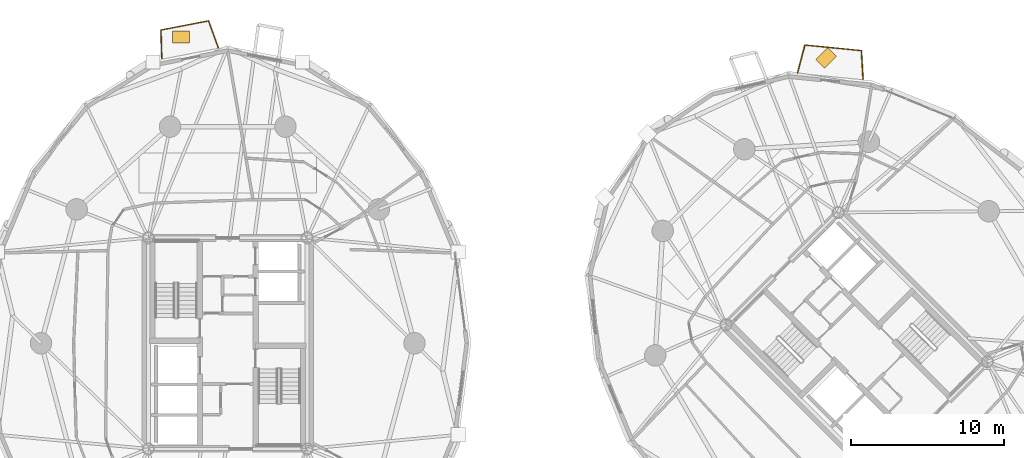
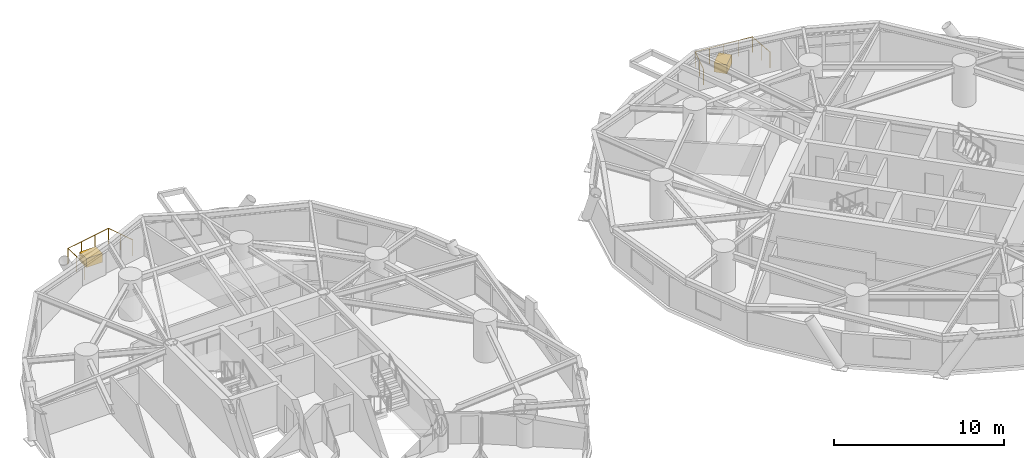
# One storey, part 18 of 18: 2 coverings, 2 railings.
"""IFC4 building model written with IfcOpenShell, lengths in metres."""

from ifc_helpers import new_model, si_unit, direction, frame, origin, origin_2d, place, context, subcontext, project, spatial, rectangle, circle, extrude, source, transform, mapped, material, layer, layer_set, type_object, element, save


model = new_model("IFC4")

# Units and contexts
model_context = context("Model", 3, precision=1e-05, world=origin(), true_north=direction((0.0, 1.0)))
body_context = subcontext(model_context, "Body", "Model", "MODEL_VIEW")
ifc_project = project(units=[si_unit("LENGTHUNIT", "METRE"), si_unit("AREAUNIT", "SQUARE_METRE"), si_unit("VOLUMEUNIT", "CUBIC_METRE"), si_unit("PLANEANGLEUNIT", "RADIAN"), si_unit("MASSUNIT", "GRAM", prefix="KILO")], contexts=[model_context])

# Site, building, storey
site_placement = place(None, origin())
site = spatial("IfcSite", under=ifc_project, at=site_placement, CompositionType="ELEMENT")
building_placement = place(site_placement, origin())
building = spatial("IfcBuilding", under=site, at=building_placement, Name="Cununo Teusaquillo Station Towers", CompositionType="ELEMENT")
storey_placement = place(building_placement, frame((0.0, 0.0, 110.889892578125)))
storey = spatial("IfcBuildingStorey", under=building, at=storey_placement, Name="L35", CompositionType="ELEMENT", Elevation=110.889892578125)

# Railings
ifc_material_1 = material(Name="Anodised dark bronze aluminium EN AW-6063-T6", Category="aluminium")
railing_type = type_object("IfcRailingType", Name="RL-EXT-GUARD", PredefinedType="GUARDRAIL", material=ifc_material_1)
railing_1_placement = place(storey_placement, frame((12.20166015625, 43.060546875, 0.0)))
element("IfcRailing", 1, at=railing_1_placement, inside=storey, type_object=railing_type, Name="L35 Tower A Balcony Guardrail C05", PredefinedType="GUARDRAIL", context=body_context, shape_type="SweptSolid", body=[
    extrude(circle(Radius=0.02392578125, at=origin_2d()), frame((0.0, 0.0, 1.1259765625), z_axis=(-0.030662031384, 0.999529809376, 0.0), x_axis=(-0.999529809376, -0.030662031384, 0.0)), (0.0, 0.0, 1.0), 1.86328125),
    extrude(circle(Radius=0.02392578125, at=origin_2d()), frame((-0.05712890625, 1.8623046875, 1.1259765625), z_axis=(0.981834317938, 0.189740275429, 0.0), x_axis=(-0.189740275429, 0.981834317938, 0.0)), (0.0, 0.0, 1.0), 3.15380859375),
    extrude(circle(Radius=0.02392578125, at=origin_2d()), frame((3.039306640625, 2.460693359375, 1.1259765625), z_axis=(0.343962021681, -0.9389835609, 0.0), x_axis=(0.9389835609, 0.343962021681, 0.0)), (0.0, 0.0, 1.0), 1.86328125),
    extrude(circle(Radius=0.02099609375, at=origin_2d()), origin(), (0.0, 0.0, 1.0), 1.101806640625),
    extrude(circle(Radius=0.02099609375, at=origin_2d()), frame((-0.028564453125, 0.93115234375, 0.0)), (0.0, 0.0, 1.0), 1.101806640625),
    extrude(circle(Radius=0.02099609375, at=origin_2d()), frame((-0.05712890625, 1.8623046875, 0.0)), (0.0, 0.0, 1.0), 1.101806640625),
    extrude(circle(Radius=0.02099609375, at=origin_2d()), frame((0.97509765625, 2.061767578125, 0.0)), (0.0, 0.0, 1.0), 1.101806640625),
    extrude(circle(Radius=0.02099609375, at=origin_2d()), frame((2.007080078125, 2.26123046875, 0.0)), (0.0, 0.0, 1.0), 1.101806640625),
    extrude(circle(Radius=0.02099609375, at=origin_2d()), frame((3.039306640625, 2.460693359375, 0.0)), (0.0, 0.0, 1.0), 1.101806640625),
    extrude(circle(Radius=0.02099609375, at=origin_2d()), frame((3.35986328125, 1.5859375, 0.0)), (0.0, 0.0, 1.0), 1.101806640625),
    extrude(circle(Radius=0.02099609375, at=origin_2d()), frame((3.68017578125, 0.711181640625, 0.0)), (0.0, 0.0, 1.0), 1.101806640625),
])
railing_2_placement = place(storey_placement, frame((53.64697265625, 42.13671875, 0.0)))
element("IfcRailing", 2, at=railing_2_placement, inside=storey, type_object=railing_type, Name="L35 Tower B Balcony Guardrail C02", PredefinedType="GUARDRAIL", context=body_context, shape_type="SweptSolid", body=[
    extrude(circle(Radius=0.02392578125, at=origin_2d()), frame((0.0, 0.0, 1.1259765625), z_axis=(0.255835186295, 0.966720413281, 0.0), x_axis=(-0.966720413281, 0.255835186295, 0.0)), (0.0, 0.0, 1.0), 1.871337890625),
    extrude(circle(Radius=0.02392578125, at=origin_2d()), frame((0.478759765625, 1.80908203125, 1.1259765625), z_axis=(0.99512777892, -0.098593628704, 0.0), x_axis=(0.098593628704, 0.99512777892, 0.0)), (0.0, 0.0, 1.0), 3.692138671875),
    extrude(circle(Radius=0.02392578125, at=origin_2d()), frame((4.15283203125, 1.445068359375, 1.1259765625), z_axis=(0.061184331575, -0.998126483753, 0.0), x_axis=(0.998126483753, 0.061184331575, 0.0)), (0.0, 0.0, 1.0), 1.871337890625),
    extrude(circle(Radius=0.02099609375, at=origin_2d()), origin(), (0.0, 0.0, 1.0), 1.101806640625),
    extrude(circle(Radius=0.02099609375, at=origin_2d()), frame((0.2392578125, 0.904541015625, 0.0)), (0.0, 0.0, 1.0), 1.101806640625),
    extrude(circle(Radius=0.02099609375, at=origin_2d()), frame((0.478759765625, 1.80908203125, 0.0)), (0.0, 0.0, 1.0), 1.101806640625),
    extrude(circle(Radius=0.02099609375, at=origin_2d()), frame((1.397216796875, 1.718017578125, 0.0)), (0.0, 0.0, 1.0), 1.101806640625),
    extrude(circle(Radius=0.02099609375, at=origin_2d()), frame((2.31591796875, 1.626953125, 0.0)), (0.0, 0.0, 1.0), 1.101806640625),
    extrude(circle(Radius=0.02099609375, at=origin_2d()), frame((3.234375, 1.5361328125, 0.0)), (0.0, 0.0, 1.0), 1.101806640625),
    extrude(circle(Radius=0.02099609375, at=origin_2d()), frame((4.15283203125, 1.445068359375, 0.0)), (0.0, 0.0, 1.0), 1.101806640625),
    extrude(circle(Radius=0.02099609375, at=origin_2d()), frame((4.2099609375, 0.51123046875, 0.0)), (0.0, 0.0, 1.0), 1.101806640625),
    extrude(circle(Radius=0.02099609375, at=origin_2d()), frame((4.267333984375, -0.4228515625, 0.0)), (0.0, 0.0, 1.0), 1.101806640625),
])

# Coverings
ifc_material_2 = material(Name="Architectural GRC planter shell and engineered root-zone substrate", Category="concrete")
ifc_layer = layer(ifc_material_2, 0.64990234375)
ifc_layer_set = layer_set([ifc_layer], Name="Architectural GRC planter shell and engineered root-zone substrate")
covering_type = type_object("IfcCoveringType", Name="COV-TREE-PLANTER", PredefinedType="CLADDING", material=ifc_layer_set)
shared_shape = source(origin(), body_context, "Body", "SweptSolid", [
    extrude(rectangle(XDim=1.10009765625, YDim=0.800048828125, at=origin_2d()), origin(), (0.0, 0.0, 1.0), 0.64990234375),
])
for number, where, z_axis, x_axis, name in (
    (3, (13.4462890625, 44.468505859375, 0.000244140625), (0.0, 0.0, 1.0), (1.0, 0.0, 0.0), "L35 Tower A Balcony Tree PLANTER C05"),
    (4, (55.510986328125, 43.107666015625, 0.000244140625), (0.0, 0.0, 1.0), (0.707106781187, 0.707106781187, 0.0), "L35 Tower B Balcony Tree PLANTER C02"),
):
    element("IfcCovering", number, at=place(storey_placement, frame(where, z_axis=z_axis, x_axis=x_axis)), inside=storey, type_object=covering_type, Name=name, PredefinedType="CLADDING", context=body_context, shape_type="MappedRepresentation", body=[
        mapped(shared_shape, transform((0.0, 0.0, 0.0), x_axis=(1.0, 0.0, 0.0), y_axis=(0.0, 1.0, 0.0), z_axis=(0.0, 0.0, 1.0), scale=1.0)),
    ])

save(model, "model.ifc")
